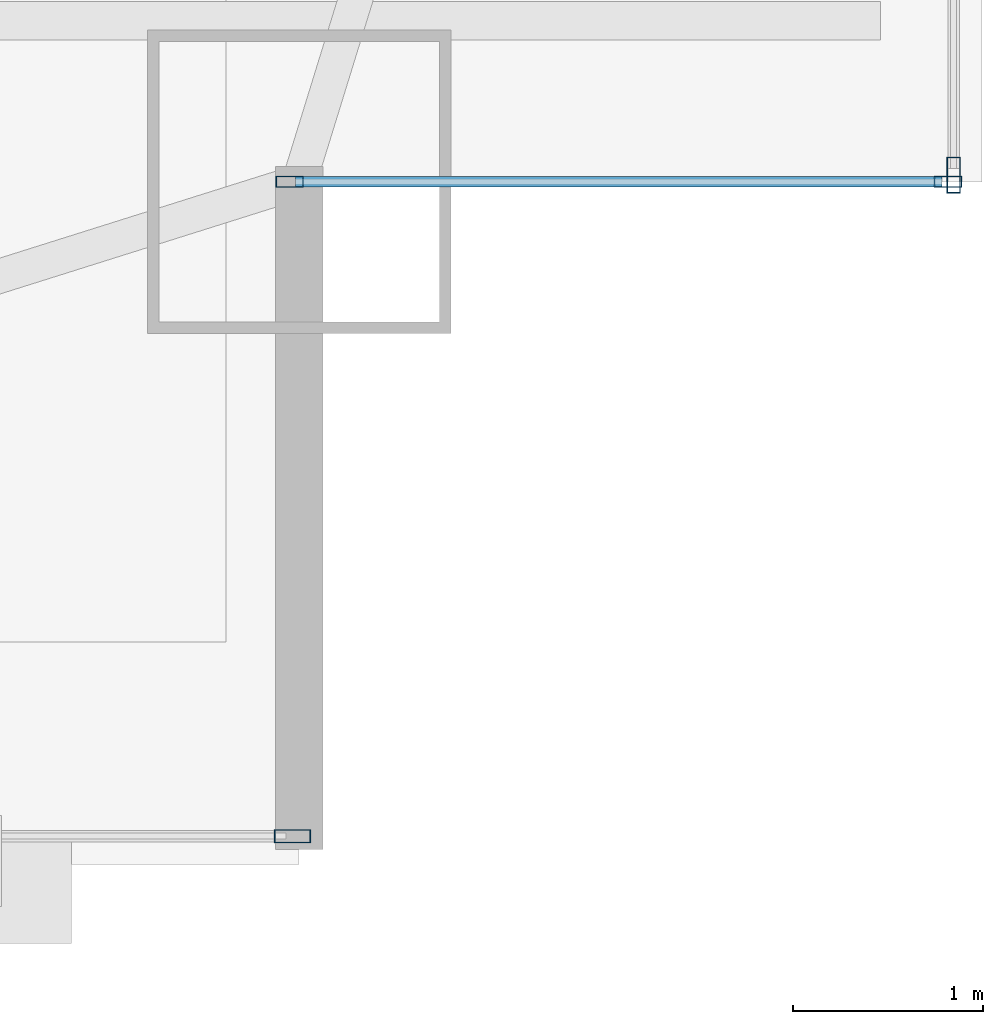
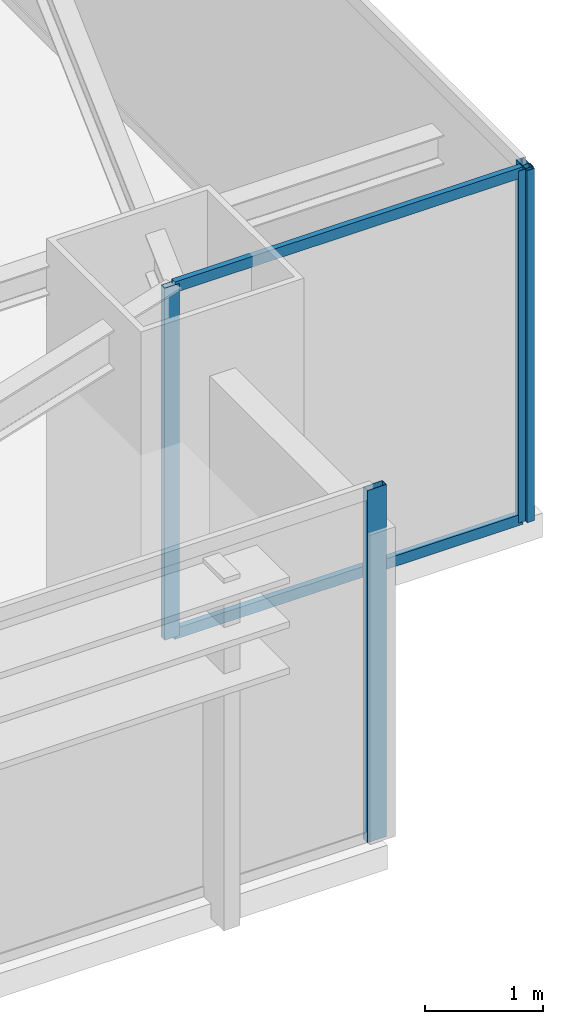
# One storey, part 15 of 32: 6 members, 3 elements without a shape of their own.
"""IFC4 building model written with IfcOpenShell, lengths in metres."""

from ifc_helpers import new_model, si_unit, direction, frame, origin, origin_2d, place, context, subcontext, project, spatial, hollow_rectangle, extrude, source, transform, mapped, material, layer, layer_set, material_profile, profile_set, type_object, type_shapes, element, aggregate, save


model = new_model("IFC4")

# Units and contexts
model_context = context("Model", 3, precision=1e-05, world=origin(), true_north=direction((0.0, 1.0)))
body_context = subcontext(model_context, "Body", "Model", "MODEL_VIEW")
ifc_project = project(units=[si_unit("LENGTHUNIT", "METRE"), si_unit("AREAUNIT", "SQUARE_METRE"), si_unit("VOLUMEUNIT", "CUBIC_METRE"), si_unit("PLANEANGLEUNIT", "RADIAN"), si_unit("MASSUNIT", "GRAM", prefix="KILO")], contexts=[model_context])

# Site, building, storey
site_placement = place(None, origin())
site = spatial("IfcSite", under=ifc_project, at=site_placement, CompositionType="ELEMENT")
building_placement = place(site_placement, origin())
building = spatial("IfcBuilding", under=site, at=building_placement, Name="Varnel Quay Broadcast Tower", CompositionType="ELEMENT")
storey_placement = place(building_placement, frame((0.0, 0.0, 43.199951171875)))
storey = spatial("IfcBuildingStorey", under=building, at=storey_placement, Name="L09", CompositionType="ELEMENT", Elevation=43.199951171875)

# Curtain wall, members
ifc_material = material(Name="Anodised Bronze Aluminium 6063-T6", Category="aluminium")
ifc_layer_1 = layer(ifc_material, 0.18994140625, Name="Anodised Bronze Aluminium 6063-T6")
ifc_layer_set_1 = layer_set([ifc_layer_1], Name="Anodised Bronze Aluminium 6063-T6")
curtain_wall_type_1 = type_object("IfcCurtainWallType", Name="CW_NotchCorner", PredefinedType="NOTDEFINED", material=ifc_layer_set_1)
curtain_wall_1_placement = place(storey_placement, origin())
curtain_wall_1 = element("IfcCurtainWall", 1, at=curtain_wall_1_placement, inside=storey, type_object=curtain_wall_type_1, Name="L09 SE Notch Curtain Wall", PredefinedType="NOTDEFINED")
ifc_material_profile_1 = material_profile(ifc_material, hollow_rectangle(XDim=0.054931640625, YDim=0.110107421875, WallThickness=0.0029296875, at=origin_2d()), Name="ALU55X110X3")
ifc_profile_set_1 = profile_set([ifc_material_profile_1], Name="Anodised Bronze Aluminium 6063-T6")
member_type_1 = type_object("IfcMemberType", Name="Tran_CWS-04", PredefinedType="USERDEFINED", material=ifc_profile_set_1)
shared_shape_1 = source(origin(), body_context, "Body", "SweptSolid", [
    extrude(hollow_rectangle(XDim=0.054931640625, YDim=0.110107421875, WallThickness=0.0029296875, at=origin_2d()), origin(), (0.0, 0.0, 1.0), 3.41015625),
])
type_shapes(member_type_1, [shared_shape_1])
member_1_placement = place(storey_placement, frame((62.3798828125, 4.800048828125, 0.027587890625), z_axis=(1.0, 0.0, 0.0), x_axis=(0.0, 1.0, 0.0)))
member_1 = element("IfcMember", 2, at=member_1_placement, type_object=member_type_1, Name="CWS-04 transom 1.1", ObjectType="TRANSOM", PredefinedType="USERDEFINED", context=body_context, shape_type="MappedRepresentation", body=[
    mapped(shared_shape_1, transform((0.0, 0.0, 0.0), x_axis=(1.0, 0.0, 0.0), y_axis=(0.0, 1.0, 0.0), z_axis=(0.0, 0.0, 1.0), scale=1.0)),
])
member_2_placement = place(storey_placement, frame((62.3798828125, 4.800048828125, 3.62255859375), z_axis=(1.0, 0.0, 0.0), x_axis=(0.0, 1.0, 0.0)))
member_2 = element("IfcMember", 3, at=member_2_placement, type_object=member_type_1, Name="CWS-04 transom 1.2", ObjectType="TRANSOM", PredefinedType="USERDEFINED", context=body_context, shape_type="MappedRepresentation", body=[
    mapped(shared_shape_1, transform((0.0, 0.0, 0.0), x_axis=(1.0, 0.0, 0.0), y_axis=(0.0, 1.0, 0.0), z_axis=(0.0, 0.0, 1.0), scale=1.0)),
])

# Curtain wall, member
ifc_layer_2 = layer(ifc_material, 0.18994140625, Name="Anodised Bronze Aluminium 6063-T6")
ifc_layer_set_2 = layer_set([ifc_layer_2], Name="Anodised Bronze Aluminium 6063-T6")
curtain_wall_type_2 = type_object("IfcCurtainWallType", Name="CW_LowerTower", PredefinedType="NOTDEFINED", material=ifc_layer_set_2)
curtain_wall_2_placement = place(storey_placement, origin())
curtain_wall_2 = element("IfcCurtainWall", 4, at=curtain_wall_2_placement, inside=storey, type_object=curtain_wall_type_2, Name="L09 South Unitised Curtain Wall 3", PredefinedType="NOTDEFINED")
ifc_material_profile_2 = material_profile(ifc_material, hollow_rectangle(XDim=0.070068359375, YDim=0.18994140625, WallThickness=0.00390625, at=origin_2d()), Name="ALU70X190X4")
ifc_profile_set_2 = profile_set([ifc_material_profile_2], Name="Anodised Bronze Aluminium 6063-T6")
member_type_2 = type_object("IfcMemberType", Name="Mull_CWS-02", PredefinedType="MULLION", material=ifc_profile_set_2)
shared_shape_2 = source(origin(), body_context, "Body", "SweptSolid", [
    extrude(hollow_rectangle(XDim=0.070068359375, YDim=0.18994140625, WallThickness=0.00390625, at=origin_2d()), origin(), (0.0, 0.0, 1.0), 3.650146484375),
])
type_shapes(member_type_2, [shared_shape_2])
member_3_placement = place(storey_placement, frame((62.364990234375, 1.35009765625, 0.0), z_axis=(0.0, 0.0, 1.0), x_axis=(0.0, 1.0, 0.0)))
member_3 = element("IfcMember", 5, at=member_3_placement, type_object=member_type_2, Name="CWS-02 mullion 2", PredefinedType="MULLION", context=body_context, shape_type="MappedRepresentation", body=[
    mapped(shared_shape_2, transform((0.0, 0.0, 0.0), x_axis=(1.0, 0.0, 0.0), y_axis=(0.0, 1.0, 0.0), z_axis=(0.0, 0.0, 1.0), scale=1.0)),
])
aggregate(curtain_wall_2, [member_3])

curtain_wall_3_placement = place(storey_placement, origin())
curtain_wall_3 = element("IfcCurtainWall", 6, at=curtain_wall_3_placement, inside=storey, type_object=curtain_wall_type_2, Name="L09 East Unitised Curtain Wall", PredefinedType="NOTDEFINED")
member_4_placement = place(storey_placement, frame((65.85009765625, 4.8349609375, 0.0), z_axis=(0.0, 0.0, 1.0), x_axis=(-1.0, 0.0, 0.0)))
member_4 = element("IfcMember", 7, at=member_4_placement, type_object=member_type_2, Name="CWS-02 mullion 1", PredefinedType="MULLION", context=body_context, shape_type="MappedRepresentation", body=[
    mapped(shared_shape_2, transform((0.0, 0.0, 0.0), x_axis=(1.0, 0.0, 0.0), y_axis=(0.0, 1.0, 0.0), z_axis=(0.0, 0.0, 1.0), scale=1.0)),
])
aggregate(curtain_wall_3, [member_4])

# Member
ifc_material_profile_3 = material_profile(ifc_material, hollow_rectangle(XDim=0.06005859375, YDim=0.14501953125, WallThickness=0.00341796875, at=origin_2d()), Name="ALU60X145X3.5")
ifc_profile_set_3 = profile_set([ifc_material_profile_3], Name="Anodised Bronze Aluminium 6063-T6")
member_type_3 = type_object("IfcMemberType", Name="Mull_CWS-04", PredefinedType="MULLION", material=ifc_profile_set_3)
shared_shape_3 = source(origin(), body_context, "Body", "SweptSolid", [
    extrude(hollow_rectangle(XDim=0.06005859375, YDim=0.14501953125, WallThickness=0.00341796875, at=origin_2d()), origin(), (0.0, 0.0, 1.0), 3.650146484375),
])
type_shapes(member_type_3, [shared_shape_3])
member_5_placement = place(storey_placement, frame((62.35009765625, 4.800048828125, 0.0), z_axis=(0.0, 0.0, 1.0), x_axis=(0.0, 1.0, 0.0)))
member_5 = element("IfcMember", 8, at=member_5_placement, type_object=member_type_3, Name="CWS-04 mullion 1", PredefinedType="MULLION", context=body_context, shape_type="MappedRepresentation", body=[
    mapped(shared_shape_3, transform((0.0, 0.0, 0.0), x_axis=(1.0, 0.0, 0.0), y_axis=(0.0, 1.0, 0.0), z_axis=(0.0, 0.0, 1.0), scale=1.0)),
])

member_6_placement = place(storey_placement, frame((65.820068359375, 4.800048828125, 0.0), z_axis=(0.0, 0.0, 1.0), x_axis=(0.0, 1.0, 0.0)))
member_6 = element("IfcMember", 9, at=member_6_placement, type_object=member_type_3, Name="CWS-04 mullion 2", PredefinedType="MULLION", context=body_context, shape_type="MappedRepresentation", body=[
    mapped(shared_shape_3, transform((0.0, 0.0, 0.0), x_axis=(1.0, 0.0, 0.0), y_axis=(0.0, 1.0, 0.0), z_axis=(0.0, 0.0, 1.0), scale=1.0)),
])

aggregate(curtain_wall_1, [member_5, member_6, member_1, member_2])

save(model, "model.ifc")
